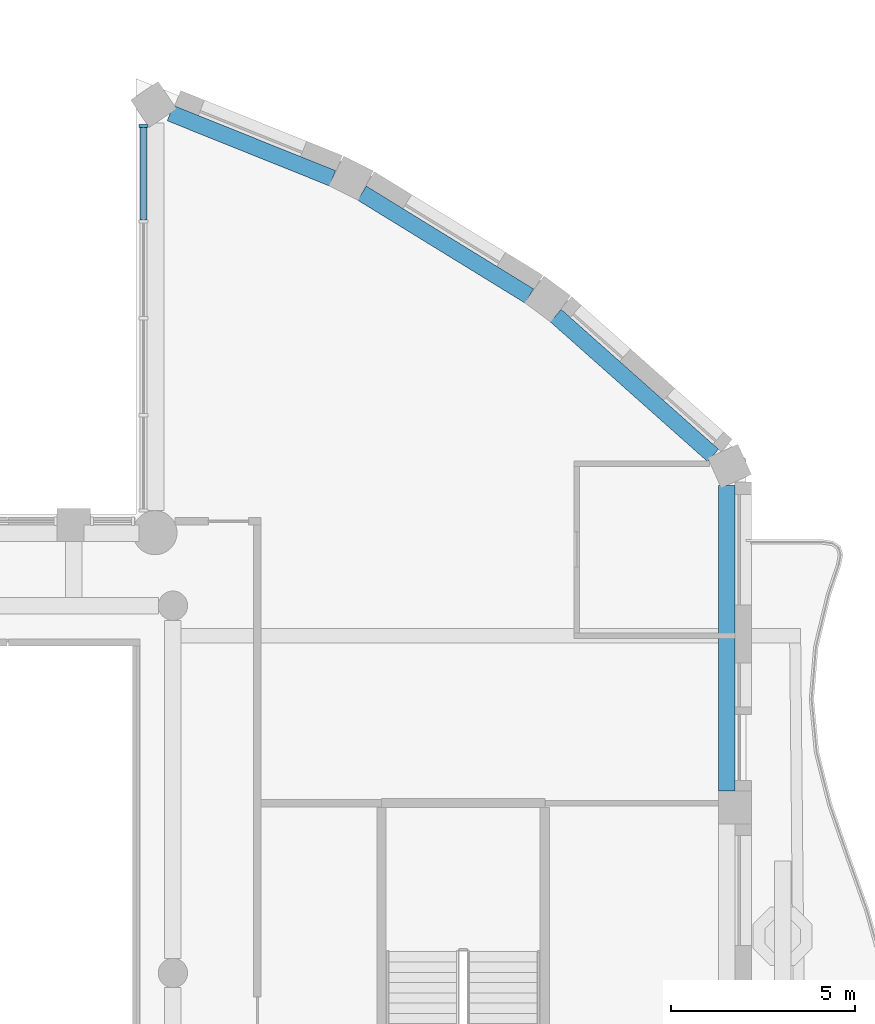
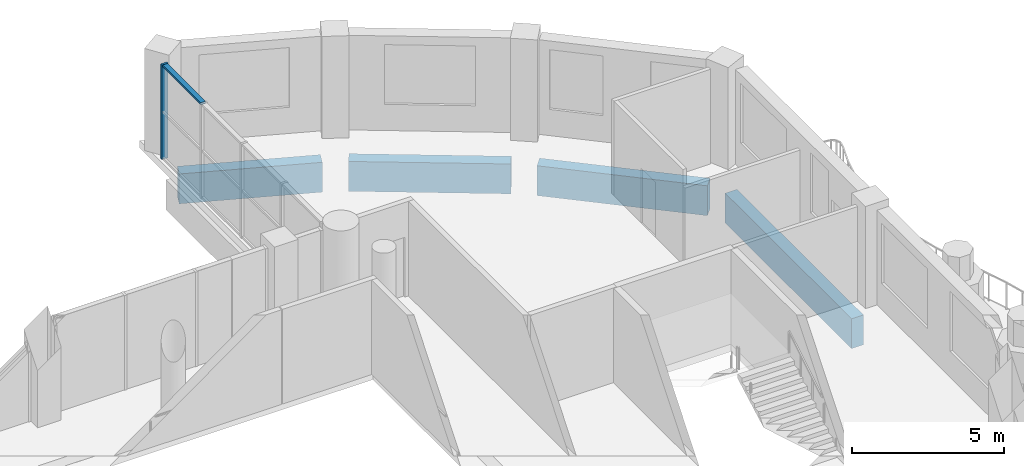
# One storey, part 3 of 15: 4 beams, 2 members, 1 element without a shape of its own.
"""IFC4 building model written with IfcOpenShell, lengths in metres."""

from ifc_helpers import new_model, si_unit, direction, frame, origin, origin_2d, place, context, subcontext, project, spatial, rectangle, extrude, material, material_profile, profile_set, type_object, element, aggregate, save


model = new_model("IFC4")

# Units and contexts
model_context = context("Model", 3, precision=1e-05, world=origin(), true_north=direction((0.0, 1.0)))
body_context = subcontext(model_context, "Body", "Model", "MODEL_VIEW")
ifc_project = project(units=[si_unit("LENGTHUNIT", "METRE"), si_unit("AREAUNIT", "SQUARE_METRE"), si_unit("VOLUMEUNIT", "CUBIC_METRE"), si_unit("PLANEANGLEUNIT", "RADIAN"), si_unit("MASSUNIT", "GRAM", prefix="KILO")], contexts=[model_context])

# Site, building, storey
site_placement = place(None, origin())
site = spatial("IfcSite", under=ifc_project, at=site_placement, CompositionType="ELEMENT")
building_placement = place(site_placement, origin())
building = spatial("IfcBuilding", under=site, at=building_placement, Name="Cypress Arch Tower", CompositionType="ELEMENT")
storey_placement = place(building_placement, frame((0.0, 0.0, 309.0)))
storey = spatial("IfcBuildingStorey", under=building, at=storey_placement, Name="L70", CompositionType="ELEMENT", Elevation=309.0)

# Curtain wall, member
ifc_material_1 = material(Name="Anodised aluminium, bronze finish, clear laminated double glazing", Category="aluminium")
curtain_wall_type = type_object("IfcCurtainWallType", Name="Curtain wall CW7 slot glazing", PredefinedType="NOTDEFINED", material=ifc_material_1)
curtain_wall_placement = place(storey_placement, origin())
curtain_wall = element("IfcCurtainWall", 1, at=curtain_wall_placement, inside=storey, type_object=curtain_wall_type, Name="Curtain wall L70 slot C00.0", PredefinedType="NOTDEFINED")
ifc_material_2 = material(Name="Anodised aluminium, bronze finish", Category="aluminium")
ifc_material_profile_1 = material_profile(ifc_material_2, rectangle(XDim=0.239990234375, YDim=0.0849609375, at=origin_2d()), Name="Mullion 85x240")
ifc_profile_set_1 = profile_set([ifc_material_profile_1], Name="Anodised aluminium, bronze finish")
member_type_1 = type_object("IfcMemberType", Name="Mullion CW7 85x240", PredefinedType="MULLION", material=ifc_profile_set_1)
member_1_placement = place(storey_placement, frame((8.199951171875, 23.060302734375, 0.0), z_axis=(0.0, 0.0, 1.0), x_axis=(1.0, 0.0, 0.0)))
member_1 = element("IfcMember", 2, at=member_1_placement, type_object=member_type_1, Name="CW7 mullion 1", PredefinedType="MULLION", context=body_context, shape_type="SweptSolid", body=[
    extrude(rectangle(XDim=0.239990234375, YDim=0.0849609375, at=origin_2d()), origin(), (0.0, 0.0, 1.0), 3.800048828125),
])

# Beams
ifc_material_3 = material(Name="Concrete C50/60", Category="concrete")
ifc_material_profile_2 = material_profile(ifc_material_3, rectangle(XDim=0.449951171875, YDim=1.199951171875, at=origin_2d()), Name="RC 450x1200")
ifc_profile_set_2 = profile_set([ifc_material_profile_2], Name="Concrete C50/60")
beam_type = type_object("IfcBeamType", Name="Spandrel beam RC 450x1200 Concrete C50/60", PredefinedType="SPANDREL", material=ifc_profile_set_2)
beam_1_placement = place(storey_placement, frame((24.074951171875, 4.949951171875, -1.550048828125), z_axis=(0.0, 1.0, 0.0), x_axis=(-1.0, 0.0, 0.0)))
element("IfcBeam", 3, at=beam_1_placement, inside=storey, type_object=beam_type, Name="Spandrel beam L70 BC17-2", PredefinedType="SPANDREL", context=body_context, shape_type="SweptSolid", body=[
    extrude(rectangle(XDim=0.449951171875, YDim=1.199951171875, at=origin_2d()), origin(), (0.0, 0.0, 1.0), 8.32080078125),
])
beam_2_placement = place(storey_placement, frame((23.706298828125, 14.091796875, -1.550048828125), z_axis=(-0.747555073917, 0.664199827959, 0.0), x_axis=(-0.664199827959, -0.747555073917, 0.0)))
element("IfcBeam", 4, at=beam_2_placement, inside=storey, type_object=beam_type, Name="Spandrel beam L70 BC18-0", PredefinedType="SPANDREL", context=body_context, shape_type="SweptSolid", body=[
    extrude(rectangle(XDim=0.449951171875, YDim=1.199951171875, at=origin_2d()), origin(), (0.0, 0.0, 1.0), 5.72900390625),
])
beam_3_placement = place(storey_placement, frame((18.700927734375, 18.43359375, -1.550048828125), z_axis=(-0.851880940975, 0.523735488966, 0.0), x_axis=(-0.523735488966, -0.851880940975, 0.0)))
element("IfcBeam", 5, at=beam_3_placement, inside=storey, type_object=beam_type, Name="Spandrel beam L70 BC19-0", PredefinedType="SPANDREL", context=body_context, shape_type="SweptSolid", body=[
    extrude(rectangle(XDim=0.449951171875, YDim=1.199951171875, at=origin_2d()), origin(), (0.0, 0.0, 1.0), 5.344970703125),
])
beam_4_placement = place(storey_placement, frame((13.343994140625, 21.6376953125, -1.550048828125), z_axis=(-0.927944947452, 0.372717284948, 0.0), x_axis=(-0.372717284948, -0.927944947452, 0.0)))
element("IfcBeam", 6, at=beam_4_placement, inside=storey, type_object=beam_type, Name="Spandrel beam L70 BC20-0", PredefinedType="SPANDREL", context=body_context, shape_type="SweptSolid", body=[
    extrude(rectangle(XDim=0.449951171875, YDim=1.199951171875, at=origin_2d()), origin(), (0.0, 0.0, 1.0), 4.758056640625),
])

# Member
ifc_material_4 = material(Name="Anodised aluminium, bronze finish", Category="aluminium")
ifc_material_profile_3 = material_profile(ifc_material_4, rectangle(XDim=0.179931640625, YDim=0.0849609375, at=origin_2d()), Name="Transom 85x180")
ifc_profile_set_3 = profile_set([ifc_material_profile_3], Name="Anodised aluminium, bronze finish")
member_type_2 = type_object("IfcMemberType", Name="Transom CW7 85x180", PredefinedType="USERDEFINED", material=ifc_profile_set_3)
member_2_placement = place(storey_placement, frame((8.199951171875, 23.017578125, 3.757568359375), z_axis=(0.0, -1.0, 0.0), x_axis=(1.0, 0.0, 0.0)))
member_2 = element("IfcMember", 7, at=member_2_placement, type_object=member_type_2, Name="CW7 transom 1.3", ObjectType="TRANSOM", PredefinedType="USERDEFINED", context=body_context, shape_type="SweptSolid", body=[
    extrude(rectangle(XDim=0.179931640625, YDim=0.0849609375, at=origin_2d()), origin(), (0.0, 0.0, 1.0), 2.510986328125),
])

aggregate(curtain_wall, [member_1, member_2])

save(model, "model.ifc")
